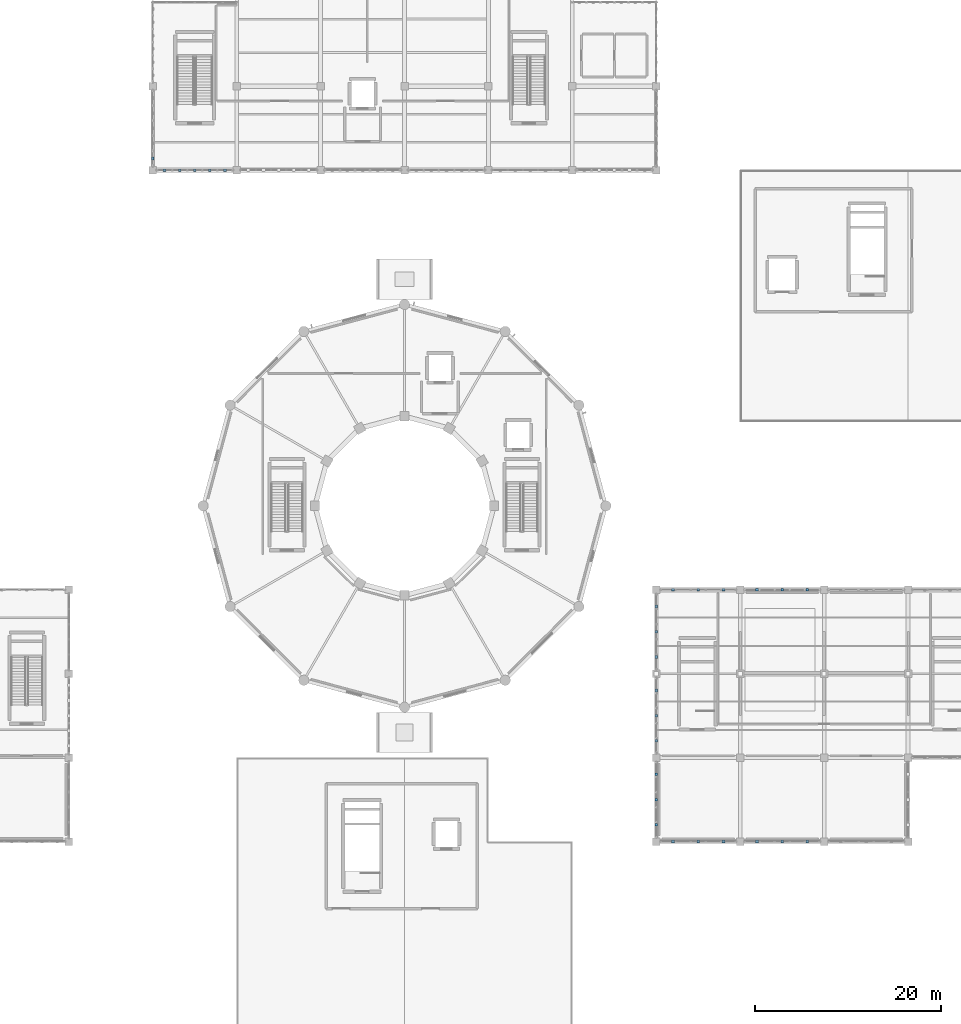
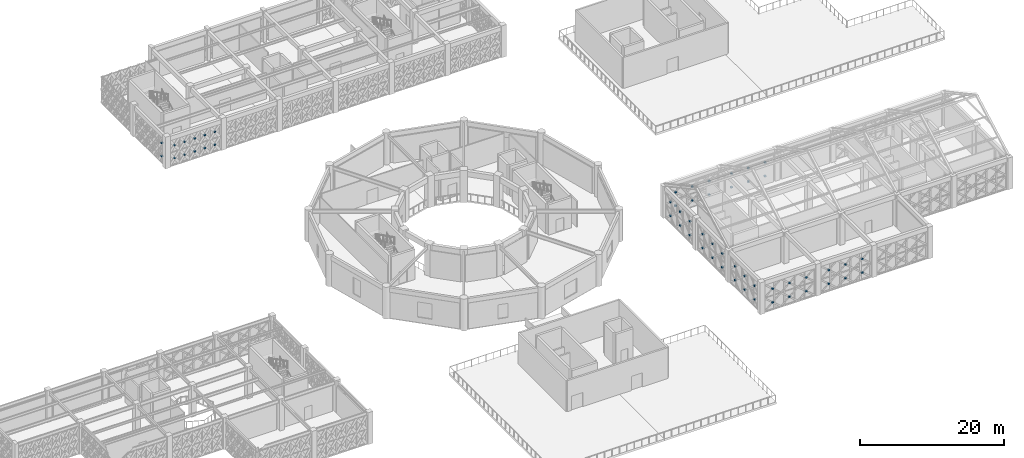
# One storey, part 77 of 86: 54 discrete accessories.
"""IFC4 building model written with IfcOpenShell, lengths in metres."""

from ifc_helpers import new_model, si_unit, direction, frame, origin, origin_2d, place, context, subcontext, project, spatial, rectangle, extrude, material, type_object, element, save


model = new_model("IFC4")

# Units and contexts
model_context = context("Model", 3, precision=1e-05, world=origin(), true_north=direction((0.0, 1.0)))
body_context = subcontext(model_context, "Body", "Model", "MODEL_VIEW")
ifc_project = project(units=[si_unit("LENGTHUNIT", "METRE"), si_unit("AREAUNIT", "SQUARE_METRE"), si_unit("VOLUMEUNIT", "CUBIC_METRE"), si_unit("PLANEANGLEUNIT", "RADIAN"), si_unit("MASSUNIT", "GRAM", prefix="KILO")], contexts=[model_context])

# Site, building, storey
site_placement = place(None, origin())
site = spatial("IfcSite", under=ifc_project, at=site_placement, CompositionType="ELEMENT")
building_placement = place(site_placement, origin())
building = spatial("IfcBuilding", under=site, at=building_placement, Name="Haizhuo Lancet Aquarium", CompositionType="ELEMENT")
storey_placement = place(building_placement, frame((0.0, 0.0, 16.199951171875)))
storey = spatial("IfcBuildingStorey", under=building, at=storey_placement, Name="L03", CompositionType="ELEMENT", Elevation=16.199951171875)

# Discrete accessories
ifc_material = material(Name="Steel S355", Category="steel")
discrete_accessory_type = type_object("IfcDiscreteAccessoryType", Name="ACC-END-CAP", PredefinedType="BRACKET", material=ifc_material)
for number, where, z_axis, x_axis, name in (
    (1, (28.797119140625, -9.0, 1.0419921875), (0.0, 0.0, 1.0), (1.0, 0.0, 0.0), "L03 X-brace crossing gusset plate XN-CW-V3-L03-067-LB01B1"),
    (2, (28.797119140625, -9.0, 3.3681640625), (0.0, 0.0, 1.0), (1.0, 0.0, 0.0), "L03 X-brace crossing gusset plate XN-CW-V3-L03-067-LB02B1"),
    (3, (31.5, -9.0, 1.0419921875), (0.0, 0.0, 1.0), (1.0, 0.0, 0.0), "L03 X-brace crossing gusset plate XN-CW-V3-L03-067-LB03B1"),
    (4, (31.5, -9.0, 3.3681640625), (0.0, 0.0, 1.0), (1.0, 0.0, 0.0), "L03 X-brace crossing gusset plate XN-CW-V3-L03-067-LB04B1"),
    (5, (34.202880859375, -9.0, 1.0419921875), (0.0, 0.0, 1.0), (1.0, 0.0, 0.0), "L03 X-brace crossing gusset plate XN-CW-V3-L03-067-LB05B1"),
    (6, (34.202880859375, -9.0, 3.3681640625), (0.0, 0.0, 1.0), (1.0, 0.0, 0.0), "L03 X-brace crossing gusset plate XN-CW-V3-L03-067-LB06B1"),
    (7, (37.797119140625, -9.0, 1.0419921875), (0.0, 0.0, 1.0), (1.0, 0.0, 0.0), "L03 X-brace crossing gusset plate XN-CW-V3-L03-068-LB01B1"),
    (8, (37.797119140625, -9.0, 3.3681640625), (0.0, 0.0, 1.0), (1.0, 0.0, 0.0), "L03 X-brace crossing gusset plate XN-CW-V3-L03-068-LB02B1"),
    (9, (40.5, -9.0, 1.0419921875), (0.0, 0.0, 1.0), (1.0, 0.0, 0.0), "L03 X-brace crossing gusset plate XN-CW-V3-L03-068-LB03B1"),
    (10, (40.5, -9.0, 3.3681640625), (0.0, 0.0, 1.0), (1.0, 0.0, 0.0), "L03 X-brace crossing gusset plate XN-CW-V3-L03-068-LB04B1"),
    (11, (43.202880859375, -9.0, 1.0419921875), (0.0, 0.0, 1.0), (1.0, 0.0, 0.0), "L03 X-brace crossing gusset plate XN-CW-V3-L03-068-LB05B1"),
    (12, (43.202880859375, -9.0, 3.3681640625), (0.0, 0.0, 1.0), (1.0, 0.0, 0.0), "L03 X-brace crossing gusset plate XN-CW-V3-L03-068-LB06B1"),
    (13, (43.202880859375, -36.0, 1.0419921875), (0.0, 0.0, 1.0), (1.0, 0.0, 0.0), "L03 X-brace crossing gusset plate XN-CW-V3-L03-078-LB01B1"),
    (14, (43.202880859375, -36.0, 3.3681640625), (0.0, 0.0, 1.0), (1.0, 0.0, 0.0), "L03 X-brace crossing gusset plate XN-CW-V3-L03-078-LB02B1"),
    (15, (40.5, -36.0, 1.0419921875), (0.0, 0.0, 1.0), (1.0, 0.0, 0.0), "L03 X-brace crossing gusset plate XN-CW-V3-L03-078-LB03B1"),
    (16, (40.5, -36.0, 3.3681640625), (0.0, 0.0, 1.0), (1.0, 0.0, 0.0), "L03 X-brace crossing gusset plate XN-CW-V3-L03-078-LB04B1"),
    (17, (37.797119140625, -36.0, 1.0419921875), (0.0, 0.0, 1.0), (1.0, 0.0, 0.0), "L03 X-brace crossing gusset plate XN-CW-V3-L03-078-LB05B1"),
    (18, (37.797119140625, -36.0, 3.3681640625), (0.0, 0.0, 1.0), (1.0, 0.0, 0.0), "L03 X-brace crossing gusset plate XN-CW-V3-L03-078-LB06B1"),
    (19, (34.202880859375, -36.0, 1.0419921875), (0.0, 0.0, 1.0), (1.0, 0.0, 0.0), "L03 X-brace crossing gusset plate XN-CW-V3-L03-079-LB01B1"),
    (20, (34.202880859375, -36.0, 3.3681640625), (0.0, 0.0, 1.0), (1.0, 0.0, 0.0), "L03 X-brace crossing gusset plate XN-CW-V3-L03-079-LB02B1"),
    (21, (31.5, -36.0, 1.0419921875), (0.0, 0.0, 1.0), (1.0, 0.0, 0.0), "L03 X-brace crossing gusset plate XN-CW-V3-L03-079-LB03B1"),
    (22, (31.5, -36.0, 3.3681640625), (0.0, 0.0, 1.0), (1.0, 0.0, 0.0), "L03 X-brace crossing gusset plate XN-CW-V3-L03-079-LB04B1"),
    (23, (28.797119140625, -36.0, 1.0419921875), (0.0, 0.0, 1.0), (1.0, 0.0, 0.0), "L03 X-brace crossing gusset plate XN-CW-V3-L03-079-LB05B1"),
    (24, (28.797119140625, -36.0, 3.3681640625), (0.0, 0.0, 1.0), (1.0, 0.0, 0.0), "L03 X-brace crossing gusset plate XN-CW-V3-L03-079-LB06B1"),
    (25, (27.0, -34.202880859375, 1.05517578125), (0.0, 0.0, 1.0), (1.0, 0.0, 0.0), "L03 X-brace crossing gusset plate XN-CW-V3-L03-080-LB01B1"),
    (26, (27.0, -34.202880859375, 3.4052734375), (0.0, 0.0, 1.0), (1.0, 0.0, 0.0), "L03 X-brace crossing gusset plate XN-CW-V3-L03-080-LB02B1"),
    (27, (27.0, -31.5, 1.05517578125), (0.0, 0.0, 1.0), (1.0, 0.0, 0.0), "L03 X-brace crossing gusset plate XN-CW-V3-L03-080-LB03B1"),
    (28, (27.0, -31.5, 3.4052734375), (0.0, 0.0, 1.0), (1.0, 0.0, 0.0), "L03 X-brace crossing gusset plate XN-CW-V3-L03-080-LB04B1"),
    (29, (27.0, -28.797119140625, 1.05517578125), (0.0, 0.0, 1.0), (1.0, 0.0, 0.0), "L03 X-brace crossing gusset plate XN-CW-V3-L03-080-LB05B1"),
    (30, (27.0, -28.797119140625, 3.4052734375), (0.0, 0.0, 1.0), (1.0, 0.0, 0.0), "L03 X-brace crossing gusset plate XN-CW-V3-L03-080-LB06B1"),
    (31, (27.0, -25.202880859375, 1.05517578125), (0.0, 0.0, 1.0), (1.0, 0.0, 0.0), "L03 X-brace crossing gusset plate XN-CW-V3-L03-081-LB01B1"),
    (32, (27.0, -25.202880859375, 3.4052734375), (0.0, 0.0, 1.0), (1.0, 0.0, 0.0), "L03 X-brace crossing gusset plate XN-CW-V3-L03-081-LB02B1"),
    (33, (27.0, -22.5, 1.05517578125), (0.0, 0.0, 1.0), (1.0, 0.0, 0.0), "L03 X-brace crossing gusset plate XN-CW-V3-L03-081-LB03B1"),
    (34, (27.0, -22.5, 3.4052734375), (0.0, 0.0, 1.0), (1.0, 0.0, 0.0), "L03 X-brace crossing gusset plate XN-CW-V3-L03-081-LB04B1"),
    (35, (27.0, -19.797119140625, 1.05517578125), (0.0, 0.0, 1.0), (1.0, 0.0, 0.0), "L03 X-brace crossing gusset plate XN-CW-V3-L03-081-LB05B1"),
    (36, (27.0, -19.797119140625, 3.4052734375), (0.0, 0.0, 1.0), (1.0, 0.0, 0.0), "L03 X-brace crossing gusset plate XN-CW-V3-L03-081-LB06B1"),
    (37, (27.0, -16.202880859375, 1.05517578125), (0.0, 0.0, 1.0), (1.0, 0.0, 0.0), "L03 X-brace crossing gusset plate XN-CW-V3-L03-082-LB01B1"),
    (38, (27.0, -16.202880859375, 3.4052734375), (0.0, 0.0, 1.0), (1.0, 0.0, 0.0), "L03 X-brace crossing gusset plate XN-CW-V3-L03-082-LB02B1"),
    (39, (27.0, -13.5, 1.05517578125), (0.0, 0.0, 1.0), (1.0, 0.0, 0.0), "L03 X-brace crossing gusset plate XN-CW-V3-L03-082-LB03B1"),
    (40, (27.0, -13.5, 3.4052734375), (0.0, 0.0, 1.0), (1.0, 0.0, 0.0), "L03 X-brace crossing gusset plate XN-CW-V3-L03-082-LB04B1"),
    (41, (27.0, -10.7958984375, 1.05517578125), (0.0, 0.0, 1.0), (1.0, 0.0, 0.0), "L03 X-brace crossing gusset plate XN-CW-V3-L03-082-LB05B1"),
    (42, (27.0, -10.7958984375, 3.4052734375), (0.0, 0.0, 1.0), (1.0, 0.0, 0.0), "L03 X-brace crossing gusset plate XN-CW-V3-L03-082-LB06B1"),
    (43, (-19.256103515625, 36.0, 0.97998046875), (0.0, 0.0, 1.0), (1.0, 0.0, 0.0), "L03 X-brace crossing gusset plate XN-CW-V5-L03-173-LB01B1"),
    (44, (-19.256103515625, 36.0, 3.18017578125), (0.0, 0.0, 1.0), (1.0, 0.0, 0.0), "L03 X-brace crossing gusset plate XN-CW-V5-L03-173-LB02B1"),
    (45, (-20.8779296875, 36.0, 0.97998046875), (0.0, 0.0, 1.0), (1.0, 0.0, 0.0), "L03 X-brace crossing gusset plate XN-CW-V5-L03-173-LB03B1"),
    (46, (-20.8779296875, 36.0, 3.18017578125), (0.0, 0.0, 1.0), (1.0, 0.0, 0.0), "L03 X-brace crossing gusset plate XN-CW-V5-L03-173-LB04B1"),
    (47, (-22.5, 36.0, 0.97998046875), (0.0, 0.0, 1.0), (1.0, 0.0, 0.0), "L03 X-brace crossing gusset plate XN-CW-V5-L03-173-LB05B1"),
    (48, (-22.5, 36.0, 3.18017578125), (0.0, 0.0, 1.0), (1.0, 0.0, 0.0), "L03 X-brace crossing gusset plate XN-CW-V5-L03-173-LB06B1"),
    (49, (-24.1220703125, 36.0, 0.97998046875), (0.0, 0.0, 1.0), (1.0, 0.0, 0.0), "L03 X-brace crossing gusset plate XN-CW-V5-L03-173-LB07B1"),
    (50, (-24.1220703125, 36.0, 3.18017578125), (0.0, 0.0, 1.0), (1.0, 0.0, 0.0), "L03 X-brace crossing gusset plate XN-CW-V5-L03-173-LB08B1"),
    (51, (-25.743896484375, 36.0, 0.97998046875), (0.0, 0.0, 1.0), (1.0, 0.0, 0.0), "L03 X-brace crossing gusset plate XN-CW-V5-L03-173-LB09B1"),
    (52, (-25.743896484375, 36.0, 3.18017578125), (0.0, 0.0, 1.0), (1.0, 0.0, 0.0), "L03 X-brace crossing gusset plate XN-CW-V5-L03-173-LB10B1"),
    (53, (-27.0, 37.256103515625, 0.9921875), (0.0, 0.0, 1.0), (1.0, 0.0, 0.0), "L03 X-brace crossing gusset plate XN-CW-V5-L03-174-LB01B1"),
    (54, (-27.0, 37.256103515625, 3.21826171875), (0.0, 0.0, 1.0), (1.0, 0.0, 0.0), "L03 X-brace crossing gusset plate XN-CW-V5-L03-174-LB02B1"),
):
    element("IfcDiscreteAccessory", number, at=place(storey_placement, frame(where, z_axis=z_axis, x_axis=x_axis)), inside=storey, type_object=discrete_accessory_type, material=ifc_material, Name=name, PredefinedType="BRACKET", context=body_context, shape_type="SweptSolid", body=[
        extrude(rectangle(XDim=0.280029296875, YDim=0.280029296875, at=origin_2d()), origin(), (0.0, 0.0, 1.0), 0.239990234375),
    ])

save(model, "model.ifc")
